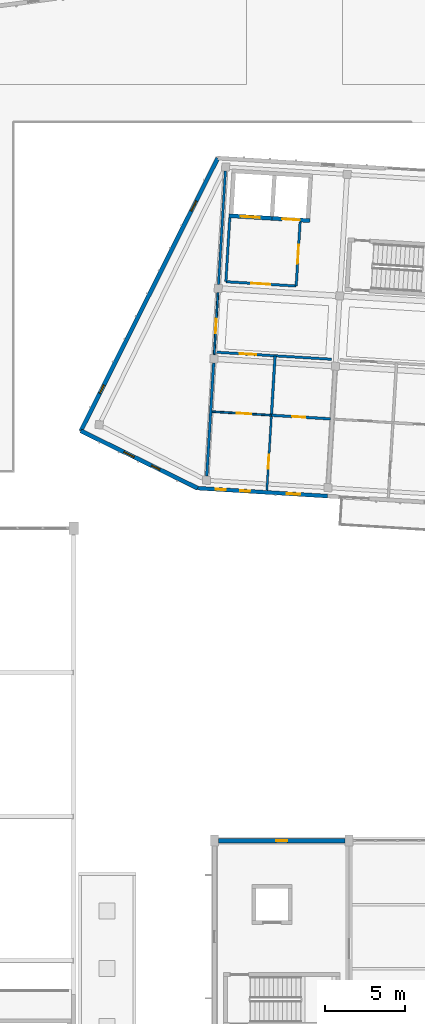
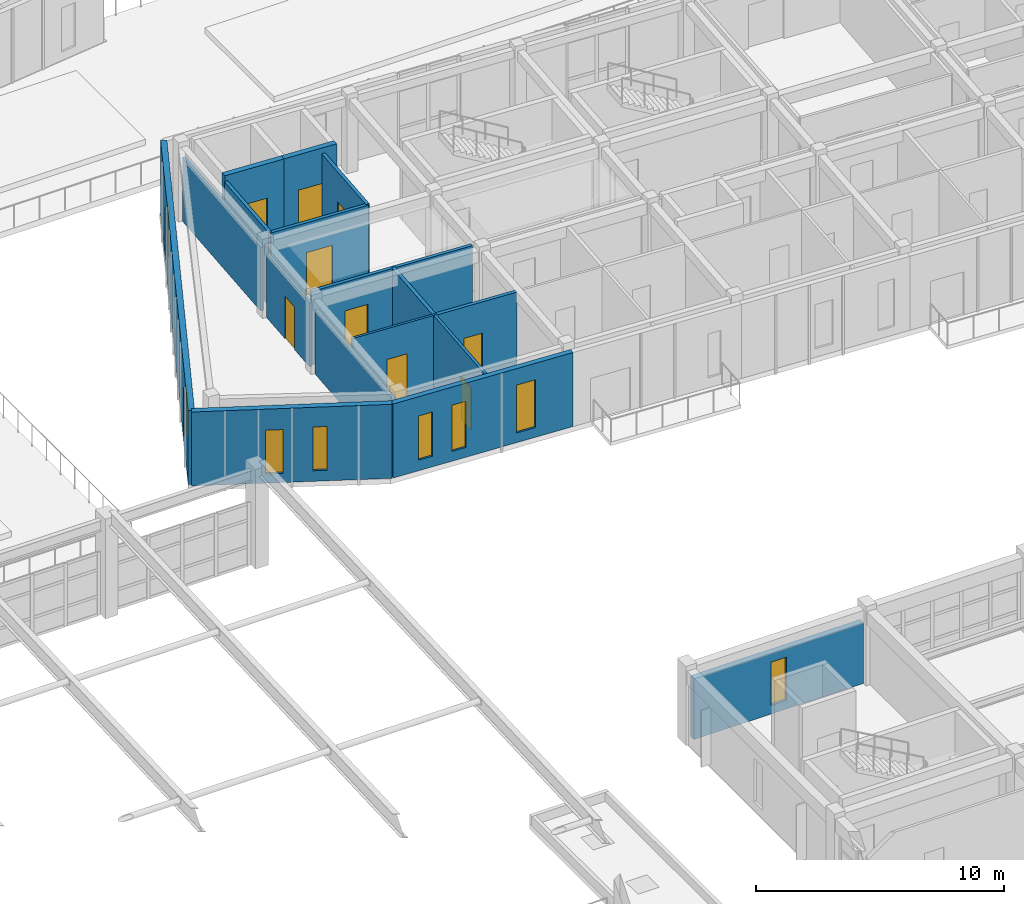
# One storey, part 85 of 150: 17 walls, 9 doors, 8 windows, 17 openings.
"""IFC4 building model written with IfcOpenShell, lengths in metres."""

from ifc_helpers import new_model, si_unit, direction, frame, frame_2d, origin, place, context, subcontext, project, spatial, rectangle, extrude, material, layer, layer_set, type_object, element, fill, save


model = new_model("IFC4")

# Units and contexts
model_context = context("Model", 3, precision=1e-05, world=origin(), true_north=direction((0.0, 1.0)))
body_context = subcontext(model_context, "Body", "Model", "MODEL_VIEW")
ifc_project = project(units=[si_unit("LENGTHUNIT", "METRE"), si_unit("AREAUNIT", "SQUARE_METRE"), si_unit("VOLUMEUNIT", "CUBIC_METRE"), si_unit("PLANEANGLEUNIT", "RADIAN"), si_unit("MASSUNIT", "GRAM", prefix="KILO")], contexts=[model_context])

# Site, building, storey
site_placement = place(None, origin())
site = spatial("IfcSite", under=ifc_project, at=site_placement, CompositionType="ELEMENT")
building_placement = place(site_placement, origin())
building = spatial("IfcBuilding", under=site, at=building_placement, Name="Kestramere Prow Commons", CompositionType="ELEMENT")
storey_placement = place(building_placement, frame((0.0, 0.0, 4.5)))
storey = spatial("IfcBuildingStorey", under=building, at=storey_placement, Name="L01", CompositionType="ELEMENT", Elevation=4.5)

# Wall, opening, window
ifc_material_1 = material(Name="Precast concrete C40/50", Category="concrete")
ifc_layer_1 = layer(ifc_material_1, 0.280029296875)
ifc_layer_set_1 = layer_set([ifc_layer_1], Name="Precast concrete C40/50")
wall_type_1 = type_object("IfcWallType", Name="EW-CIVIC-280", PredefinedType="SOLIDWALL", material=ifc_layer_set_1)
wall_1_placement = place(storey_placement, frame((60.25, 24.0, 0.0), z_axis=(0.0, 0.0, 1.0), x_axis=(1.0, 0.0, 0.0)))
wall_1 = element("IfcWall", 1, at=wall_1_placement, inside=storey, type_object=wall_type_1, Name="Market L01 Core Wall 1", PredefinedType="SOLIDWALL", context=body_context, shape_type="SweptSolid", body=[
    extrude(rectangle(XDim=7.89990234375, YDim=0.280029296875, at=frame_2d((3.949951171875, 0.0))), origin(), (0.0, 0.0, 1.0), 2.989990234375),
])
opening_1_placement = place(wall_1_placement, frame((3.60009765625, 0.0, 0.419921875)))
opening_1 = element("IfcOpeningElement", 2, at=opening_1_placement, cuts=wall_1, Name="Opening WN-16", PredefinedType="OPENING", context=body_context, shape_type="SweptSolid", body=[
    extrude(rectangle(XDim=0.699951171875, YDim=2.139892578125, at=frame_2d((0.35009765625, 1.06982421875))), frame((0.0, 0.155029296875, 0.0), z_axis=(0.0, -1.0, 0.0), x_axis=(1.0, 0.0, 0.0)), (0.0, 0.0, 1.0), 0.31005859375),
])
ifc_material_2 = material(Name="Low-E Laminated Double Glazing", Category="glass")
window_type_1 = type_object("IfcWindowType", Name="WN-CIV-700", PartitioningType="SINGLE_PANEL", PredefinedType="WINDOW", material=ifc_material_2)
window_1_placement = place(opening_1_placement, origin())
window_1 = element("IfcWindow", 3, at=window_1_placement, inside=storey, type_object=window_type_1, Name="WN-MK-L01-N-0", OverallHeight=2.139892578125, OverallWidth=0.699951171875, PartitioningType="SINGLE_PANEL", PredefinedType="WINDOW", context=body_context, shape_type="SweptSolid", body=[
    extrude(rectangle(XDim=0.699951171875, YDim=2.139892578125, at=frame_2d((0.35009765625, 1.06982421875))), frame((0.0, 0.030029296875, 0.0), z_axis=(0.0, -1.0, 0.0), x_axis=(1.0, 0.0, 0.0)), (0.0, 0.0, 1.0), 0.06005859375),
])
fill(opening_1, window_1)

# Wall, openings, windows
ifc_material_3 = material(Name="Weathered Zinc-Titanium Standing-Seam Cladding")
ifc_layer_2 = layer(ifc_material_3, 0.260009765625)
ifc_layer_set_2 = layer_set([ifc_layer_2], Name="Weathered Zinc-Titanium Standing-Seam Cladding")
wall_type_2 = type_object("IfcWallType", Name="EW-PROW-260", PredefinedType="SOLIDWALL", material=ifc_layer_set_2)
wall_2_placement = place(storey_placement, frame((58.94384765625, 46.008056640625, 0.0), z_axis=(0.0, 0.0, 1.0), x_axis=(-0.897775054318, 0.440454256246, 0.0)))
wall_2 = element("IfcWall", 4, at=wall_2_placement, inside=storey, type_object=wall_type_2, Name="Block C L01 PRW-S Facet Wall", PredefinedType="SOLIDWALL", context=body_context, shape_type="SweptSolid", body=[
    extrude(rectangle(XDim=8.120361328125, YDim=0.260009765625, at=frame_2d((4.06005859375, 0.0))), origin(), (0.0, 0.0, 1.0), 3.64990234375),
])
opening_2_placement = place(wall_2_placement, frame((2.6298828125, 0.0, 0.52001953125)))
opening_2 = element("IfcOpeningElement", 5, at=opening_2_placement, cuts=wall_2, Name="Opening WN-01", PredefinedType="OPENING", context=body_context, shape_type="SweptSolid", body=[
    extrude(rectangle(XDim=0.580078125, YDim=2.159912109375, at=frame_2d((0.2900390625, 1.080078125))), frame((0.0, 0.14501953125, 0.0), z_axis=(0.0, -1.0, 0.0), x_axis=(1.0, 0.0, 0.0)), (0.0, 0.0, 1.0), 0.2900390625),
])
opening_3_placement = place(wall_2_placement, frame((4.410400390625, 0.0, 0.449951171875)))
opening_3 = element("IfcOpeningElement", 6, at=opening_3_placement, cuts=wall_2, Name="Opening WN-08", PredefinedType="OPENING", context=body_context, shape_type="SweptSolid", body=[
    extrude(rectangle(XDim=0.719970703125, YDim=2.159912109375, at=frame_2d((0.35986328125, 1.080078125))), frame((0.0, 0.14501953125, 0.0), z_axis=(0.0, -1.0, 0.0), x_axis=(1.0, 0.0, 0.0)), (0.0, 0.0, 1.0), 0.2900390625),
])
window_type_2 = type_object("IfcWindowType", Name="WN-NAR-580A", PartitioningType="SINGLE_PANEL", PredefinedType="WINDOW", material=ifc_material_2)
window_2_placement = place(opening_2_placement, origin())
window_2 = element("IfcWindow", 7, at=window_2_placement, inside=storey, type_object=window_type_2, Name="WN-C-L01-PRW-S-0", OverallHeight=2.159912109375, OverallWidth=0.580078125, PartitioningType="SINGLE_PANEL", PredefinedType="WINDOW", context=body_context, shape_type="SweptSolid", body=[
    extrude(rectangle(XDim=0.580078125, YDim=2.159912109375, at=frame_2d((0.2900390625, 1.080078125))), frame((0.0, 0.030029296875, 0.0), z_axis=(0.0, -1.0, 0.0), x_axis=(1.0, 0.0, 0.0)), (0.0, 0.0, 1.0), 0.06005859375),
])
fill(opening_2, window_2)
window_type_3 = type_object("IfcWindowType", Name="WN-NAR-720A", PartitioningType="SINGLE_PANEL", PredefinedType="WINDOW", material=ifc_material_2)
window_3_placement = place(opening_3_placement, origin())
window_3 = element("IfcWindow", 8, at=window_3_placement, inside=storey, type_object=window_type_3, Name="WN-C-L01-PRW-S-1", OverallHeight=2.159912109375, OverallWidth=0.719970703125, PartitioningType="SINGLE_PANEL", PredefinedType="WINDOW", context=body_context, shape_type="SweptSolid", body=[
    extrude(rectangle(XDim=0.719970703125, YDim=2.159912109375, at=frame_2d((0.35986328125, 1.080078125))), frame((0.0, 0.030029296875, 0.0), z_axis=(0.0, -1.0, 0.0), x_axis=(1.0, 0.0, 0.0)), (0.0, 0.0, 1.0), 0.06005859375),
])
fill(opening_3, window_3)

wall_3_placement = place(storey_placement, frame((51.653564453125, 49.584716796875, 0.0), z_axis=(0.0, 0.0, 1.0), x_axis=(0.448621989068, 0.893721607059, 0.0)))
wall_3 = element("IfcWall", 9, at=wall_3_placement, inside=storey, type_object=wall_type_2, Name="Block C L01 PRW-N Facet Wall", PredefinedType="SOLIDWALL", context=body_context, shape_type="SweptSolid", body=[
    extrude(rectangle(XDim=19.060546875, YDim=0.260009765625, at=frame_2d((9.5302734375, 0.0))), origin(), (0.0, 0.0, 1.0), 3.64990234375),
])
opening_4_placement = place(wall_3_placement, frame((2.6298828125, 0.0, 0.52001953125)))
opening_4 = element("IfcOpeningElement", 10, at=opening_4_placement, cuts=wall_3, Name="Opening WN-01", PredefinedType="OPENING", context=body_context, shape_type="SweptSolid", body=[
    extrude(rectangle(XDim=0.580078125, YDim=2.159912109375, at=frame_2d((0.2900390625, 1.080078125))), frame((0.0, 0.14501953125, 0.0), z_axis=(0.0, -1.0, 0.0), x_axis=(1.0, 0.0, 0.0)), (0.0, 0.0, 1.0), 0.2900390625),
])
opening_5_placement = place(wall_3_placement, frame((15.350341796875, 0.0, 0.449951171875)))
opening_5 = element("IfcOpeningElement", 11, at=opening_5_placement, cuts=wall_3, Name="Opening WN-08", PredefinedType="OPENING", context=body_context, shape_type="SweptSolid", body=[
    extrude(rectangle(XDim=0.719970703125, YDim=2.159912109375, at=frame_2d((0.35986328125, 1.080078125))), frame((0.0, 0.14501953125, 0.0), z_axis=(0.0, -1.0, 0.0), x_axis=(1.0, 0.0, 0.0)), (0.0, 0.0, 1.0), 0.2900390625),
])
window_4_placement = place(opening_4_placement, origin())
window_4 = element("IfcWindow", 12, at=window_4_placement, inside=storey, type_object=window_type_2, Name="WN-C-L01-PRW-N-0", OverallHeight=2.159912109375, OverallWidth=0.580078125, PartitioningType="SINGLE_PANEL", PredefinedType="WINDOW", context=body_context, shape_type="SweptSolid", body=[
    extrude(rectangle(XDim=0.580078125, YDim=2.159912109375, at=frame_2d((0.2900390625, 1.080078125))), frame((0.0, 0.030029296875, 0.0), z_axis=(0.0, -1.0, 0.0), x_axis=(1.0, 0.0, 0.0)), (0.0, 0.0, 1.0), 0.06005859375),
])
fill(opening_4, window_4)
window_5_placement = place(opening_5_placement, origin())
window_5 = element("IfcWindow", 13, at=window_5_placement, inside=storey, type_object=window_type_3, Name="WN-C-L01-PRW-N-1", OverallHeight=2.159912109375, OverallWidth=0.719970703125, PartitioningType="SINGLE_PANEL", PredefinedType="WINDOW", context=body_context, shape_type="SweptSolid", body=[
    extrude(rectangle(XDim=0.719970703125, YDim=2.159912109375, at=frame_2d((0.35986328125, 1.080078125))), frame((0.0, 0.030029296875, 0.0), z_axis=(0.0, -1.0, 0.0), x_axis=(1.0, 0.0, 0.0)), (0.0, 0.0, 1.0), 0.06005859375),
])
fill(opening_5, window_5)

ifc_material_4 = material(Name="Fluoropolymer Standing-Seam Zinc-Aluminium Cladding", Category="aluminium")
ifc_layer_3 = layer(ifc_material_4, 0.239990234375)
ifc_layer_set_3 = layer_set([ifc_layer_3], Name="Fluoropolymer Standing-Seam Zinc-Aluminium Cladding")
wall_type_3 = type_object("IfcWallType", Name="EW-SEAM-240", PredefinedType="SOLIDWALL", material=ifc_layer_set_3)
wall_4_placement = place(storey_placement, frame((67.0537109375, 45.511962890625, 0.0), z_axis=(0.0, 0.0, 1.0), x_axis=(-0.998134248939, 0.061057522844, 0.0)))
wall_4 = element("IfcWall", 14, at=wall_4_placement, inside=storey, type_object=wall_type_3, Name="Block C L01 South Standing-Seam Wall 1", PredefinedType="SOLIDWALL", context=body_context, shape_type="SweptSolid", body=[
    extrude(rectangle(XDim=8.125, YDim=0.239990234375, at=frame_2d((4.0625, 0.0))), origin(), (0.0, 0.0, 1.0), 3.64990234375),
])
opening_6_placement = place(wall_4_placement, frame((1.69970703125, 0.0, 0.47998046875)))
opening_6 = element("IfcOpeningElement", 15, at=opening_6_placement, cuts=wall_4, Name="Opening WN-15", PredefinedType="OPENING", context=body_context, shape_type="SweptSolid", body=[
    extrude(rectangle(XDim=0.860107421875, YDim=2.360107421875, at=frame_2d((0.43017578125, 1.18017578125))), frame((0.0, 0.135009765625, 0.0), z_axis=(0.0, -1.0, 0.0), x_axis=(1.0, 0.0, 0.0)), (0.0, 0.0, 1.0), 0.27001953125),
])
opening_7_placement = place(wall_4_placement, frame((4.847900390625, 0.0, 0.47998046875)))
opening_7 = element("IfcOpeningElement", 16, at=opening_7_placement, cuts=wall_4, Name="Opening WN-03", PredefinedType="OPENING", context=body_context, shape_type="SweptSolid", body=[
    extrude(rectangle(XDim=0.6201171875, YDim=2.280029296875, at=frame_2d((0.31005859375, 1.14013671875))), frame((0.0, 0.135009765625, 0.0), z_axis=(0.0, -1.0, 0.0), x_axis=(1.0, 0.0, 0.0)), (0.0, 0.0, 1.0), 0.27001953125),
])
opening_8_placement = place(wall_4_placement, frame((6.35009765625, 0.0, 0.52001953125)))
opening_8 = element("IfcOpeningElement", 17, at=opening_8_placement, cuts=wall_4, Name="Opening WN-04", PredefinedType="OPENING", context=body_context, shape_type="SweptSolid", body=[
    extrude(rectangle(XDim=0.639892578125, YDim=2.179931640625, at=frame_2d((0.31982421875, 1.08984375))), frame((0.0, 0.135009765625, 0.0), z_axis=(0.0, -1.0, 0.0), x_axis=(1.0, 0.0, 0.0)), (0.0, 0.0, 1.0), 0.27001953125),
])
window_type_4 = type_object("IfcWindowType", Name="WN-NAR-620A", PartitioningType="SINGLE_PANEL", PredefinedType="WINDOW", material=ifc_material_2)
window_6_placement = place(opening_7_placement, origin())
window_6 = element("IfcWindow", 18, at=window_6_placement, inside=storey, type_object=window_type_4, Name="WN-C-L01-S-0-10", OverallHeight=2.280029296875, OverallWidth=0.6201171875, PartitioningType="SINGLE_PANEL", PredefinedType="WINDOW", context=body_context, shape_type="SweptSolid", body=[
    extrude(rectangle(XDim=0.6201171875, YDim=2.280029296875, at=frame_2d((0.31005859375, 1.14013671875))), frame((0.0, 0.030029296875, 0.0), z_axis=(0.0, -1.0, 0.0), x_axis=(1.0, 0.0, 0.0)), (0.0, 0.0, 1.0), 0.06005859375),
])
fill(opening_7, window_6)
window_type_5 = type_object("IfcWindowType", Name="WN-NAR-640A", PartitioningType="SINGLE_PANEL", PredefinedType="WINDOW", material=ifc_material_2)
window_7_placement = place(opening_8_placement, origin())
window_7 = element("IfcWindow", 19, at=window_7_placement, inside=storey, type_object=window_type_5, Name="WN-C-L01-S-0-11", OverallHeight=2.179931640625, OverallWidth=0.639892578125, PartitioningType="SINGLE_PANEL", PredefinedType="WINDOW", context=body_context, shape_type="SweptSolid", body=[
    extrude(rectangle(XDim=0.639892578125, YDim=2.179931640625, at=frame_2d((0.31982421875, 1.08984375))), frame((0.0, 0.030029296875, 0.0), z_axis=(0.0, -1.0, 0.0), x_axis=(1.0, 0.0, 0.0)), (0.0, 0.0, 1.0), 0.06005859375),
])
fill(opening_8, window_7)
window_type_6 = type_object("IfcWindowType", Name="WN-NAR-860A", PartitioningType="DOUBLE_PANEL_VERTICAL", PredefinedType="WINDOW", material=ifc_material_2)
window_8_placement = place(opening_6_placement, origin())
window_8 = element("IfcWindow", 20, at=window_8_placement, inside=storey, type_object=window_type_6, Name="WN-C-L01-S-0-00", OverallHeight=2.360107421875, OverallWidth=0.860107421875, PartitioningType="SINGLE_PANEL", PredefinedType="WINDOW", context=body_context, shape_type="SweptSolid", body=[
    extrude(rectangle(XDim=0.860107421875, YDim=2.360107421875, at=frame_2d((0.43017578125, 1.18017578125))), frame((0.0, 0.030029296875, 0.0), z_axis=(0.0, -1.0, 0.0), x_axis=(1.0, 0.0, 0.0)), (0.0, 0.0, 1.0), 0.06005859375),
])
fill(opening_6, window_8)

# Wall, opening, door
ifc_material_5 = material(Name="Concrete C40/50", Category="concrete")
ifc_layer_4 = layer(ifc_material_5, 0.25)
ifc_layer_set_4 = layer_set([ifc_layer_4], Name="Concrete C40/50")
wall_type_4 = type_object("IfcWallType", Name="W-CORE-250", PredefinedType="SHEAR", material=ifc_layer_set_4)
wall_5_placement = place(storey_placement, frame((60.9111328125, 63.019775390625, 0.0), z_axis=(0.0, 0.0, 1.0), x_axis=(0.998134099905, -0.061059959111, 0.0)))
wall_5 = element("IfcWall", 21, at=wall_5_placement, inside=storey, type_object=wall_type_4, Name="Block C L01 Fire Lift Shaft Front Wall", PredefinedType="SHEAR", context=body_context, shape_type="SweptSolid", body=[
    extrude(rectangle(XDim=2.6748046875, YDim=0.25, at=frame_2d((1.33740234375, 0.0))), origin(), (0.0, 0.0, 1.0), 3.89990234375),
])
opening_9_placement = place(wall_5_placement, frame((0.719970703125, 0.0, 0.0)))
opening_9 = element("IfcOpeningElement", 22, at=opening_9_placement, cuts=wall_5, Name="Opening LD-02", PredefinedType="OPENING", context=body_context, shape_type="SweptSolid", body=[
    extrude(rectangle(XDim=1.199951171875, YDim=2.199951171875, at=frame_2d((0.60009765625, 1.10009765625))), frame((0.0, 0.139892578125, 0.0), z_axis=(0.0, -1.0, 0.0), x_axis=(1.0, 0.0, 0.0)), (0.0, 0.0, 1.0), 0.280029296875),
])
ifc_material_6 = material(Name="Brushed Stainless Steel 316", Category="steel")
door_type_1 = type_object("IfcDoorType", Name="LD-02", OperationType="DOUBLE_DOOR_SLIDING", PredefinedType="DOOR", material=ifc_material_6)
door_1_placement = place(opening_9_placement, origin())
door_1 = element("IfcDoor", 23, at=door_1_placement, inside=storey, type_object=door_type_1, Name="FL-C1 L01 Lift Landing Door", OperationType="DOUBLE_DOOR_SLIDING", OverallHeight=2.199951171875, OverallWidth=1.199951171875, PredefinedType="DOOR", context=body_context, shape_type="SweptSolid", body=[
    extrude(rectangle(XDim=1.199951171875, YDim=2.199951171875, at=frame_2d((0.60009765625, 1.10009765625))), frame((0.0, 0.02490234375, 0.0), z_axis=(0.0, -1.0, 0.0), x_axis=(1.0, 0.0, 0.0)), (0.0, 0.0, 1.0), 0.050048828125),
])
fill(opening_9, door_1)

wall_6_placement = place(storey_placement, frame((63.5810546875, 62.8564453125, 0.0), z_axis=(0.0, 0.0, 1.0), x_axis=(0.998134103342, -0.061059902923, 0.0)))
wall_6 = element("IfcWall", 24, at=wall_6_placement, inside=storey, type_object=wall_type_4, Name="Block C L01 Passenger Lift Shaft Front Wall", PredefinedType="SHEAR", context=body_context, shape_type="SweptSolid", body=[
    extrude(rectangle(XDim=2.375, YDim=0.25, at=frame_2d((1.1875, 0.0))), origin(), (0.0, 0.0, 1.0), 3.89990234375),
])
opening_10_placement = place(wall_6_placement, frame((0.64990234375, 0.0, 0.0)))
opening_10 = element("IfcOpeningElement", 25, at=opening_10_placement, cuts=wall_6, Name="Opening LD-01", PredefinedType="OPENING", context=body_context, shape_type="SweptSolid", body=[
    extrude(rectangle(XDim=1.10009765625, YDim=2.14990234375, at=frame_2d((0.550048828125, 1.074951171875))), frame((0.0, 0.139892578125, 0.0), z_axis=(0.0, -1.0, 0.0), x_axis=(1.0, 0.0, 0.0)), (0.0, 0.0, 1.0), 0.280029296875),
])
ifc_material_7 = material(Name="Brushed Stainless Steel 304", Category="steel")
door_type_2 = type_object("IfcDoorType", Name="LD-01", OperationType="DOUBLE_DOOR_SLIDING", PredefinedType="DOOR", material=ifc_material_7)
door_2_placement = place(opening_10_placement, origin())
door_2 = element("IfcDoor", 26, at=door_2_placement, inside=storey, type_object=door_type_2, Name="PL-C2 L01 Lift Landing Door", OperationType="DOUBLE_DOOR_SLIDING", OverallHeight=2.14990234375, OverallWidth=1.10009765625, PredefinedType="DOOR", context=body_context, shape_type="SweptSolid", body=[
    extrude(rectangle(XDim=1.10009765625, YDim=2.14990234375, at=frame_2d((0.550048828125, 1.074951171875))), frame((0.0, 0.02490234375, 0.0), z_axis=(0.0, -1.0, 0.0), x_axis=(1.0, 0.0, 0.0)), (0.0, 0.0, 1.0), 0.050048828125),
])
fill(opening_10, door_2)

ifc_material_8 = material(Name="Fire-Rated Calcium Silicate Wall")
ifc_layer_5 = layer(ifc_material_8, 0.155029296875)
ifc_layer_set_5 = layer_set([ifc_layer_5], Name="Fire-Rated Calcium Silicate Wall")
wall_type_5 = type_object("IfcWallType", Name="W-FIRE-150", PredefinedType="PARTITIONING", material=ifc_layer_set_5)
wall_7_placement = place(storey_placement, frame((60.709228515625, 58.8994140625, 0.0), z_axis=(0.0, 0.0, 1.0), x_axis=(0.998132276607, -0.061089756882, 0.0)))
wall_7 = element("IfcWall", 27, at=wall_7_placement, inside=storey, type_object=wall_type_5, Name="Interior Partition PW-C-L01-FFL-S", PredefinedType="PARTITIONING", context=body_context, shape_type="SweptSolid", body=[
    extrude(rectangle(XDim=4.400146484375, YDim=0.155029296875, at=frame_2d((2.2001953125, 0.0))), origin(), (0.0, 0.0, 1.0), 3.6201171875),
])
opening_11_placement = place(wall_7_placement, frame((1.60009765625, 0.0, 0.0)))
opening_11 = element("IfcOpeningElement", 28, at=opening_11_placement, cuts=wall_7, Name="Opening ID-03", PredefinedType="OPENING", context=body_context, shape_type="SweptSolid", body=[
    extrude(rectangle(XDim=1.179931640625, YDim=2.14990234375, at=frame_2d((0.58984375, 1.074951171875))), frame((0.0, 0.092529296875, 0.0), z_axis=(0.0, -1.0, 0.0), x_axis=(1.0, 0.0, 0.0)), (0.0, 0.0, 1.0), 0.18505859375),
])
ifc_material_9 = material(Name="Fire-Rated Glazed Smoke-Stop Door")
door_type_3 = type_object("IfcDoorType", Name="FD-LB-01", OperationType="NOTDEFINED", PredefinedType="DOOR", material=ifc_material_9)
door_3_placement = place(opening_11_placement, origin())
door_3 = element("IfcDoor", 29, at=door_3_placement, inside=storey, type_object=door_type_3, Name="Interior Door DR-C-L01-FFL", OperationType="SINGLE_SWING_RIGHT", OverallHeight=2.14990234375, OverallWidth=1.179931640625, PredefinedType="DOOR", context=body_context, shape_type="SweptSolid", body=[
    extrude(rectangle(XDim=1.179931640625, YDim=2.14990234375, at=frame_2d((0.58984375, 1.074951171875))), frame((0.0, 0.02490234375, 0.0), z_axis=(0.0, -1.0, 0.0), x_axis=(1.0, 0.0, 0.0)), (0.0, 0.0, 1.0), 0.050048828125),
])
fill(opening_11, door_3)

# Wall
wall_8_placement = place(storey_placement, frame((60.709228515625, 58.8994140625, 0.0), z_axis=(0.0, 0.0, 1.0), x_axis=(0.061036844229, 0.998135513669, 0.0)))
element("IfcWall", 30, at=wall_8_placement, inside=storey, type_object=wall_type_5, Name="Interior Partition PW-C-L01-FFL-W", PredefinedType="PARTITIONING", context=body_context, shape_type="SweptSolid", body=[
    extrude(rectangle(XDim=4.0, YDim=0.155029296875, at=frame_2d((2.0, 0.0))), origin(), (0.0, 0.0, 1.0), 3.6201171875),
])

# Wall, opening, door
wall_9_placement = place(storey_placement, frame((65.10107421875, 58.630615234375, 0.0), z_axis=(0.0, 0.0, 1.0), x_axis=(0.061033125904, 0.99813574104, 0.0)))
wall_9 = element("IfcWall", 31, at=wall_9_placement, inside=storey, type_object=wall_type_5, Name="Interior Partition PW-C-L01-FFL-E", PredefinedType="PARTITIONING", context=body_context, shape_type="SweptSolid", body=[
    extrude(rectangle(XDim=4.000244140625, YDim=0.155029296875, at=frame_2d((2.0, 0.0))), origin(), (0.0, 0.0, 1.0), 3.6201171875),
])
opening_12_placement = place(wall_9_placement, frame((1.39990234375, 0.0, 0.0)))
opening_12 = element("IfcOpeningElement", 32, at=opening_12_placement, cuts=wall_9, Name="Opening ID-03", PredefinedType="OPENING", context=body_context, shape_type="SweptSolid", body=[
    extrude(rectangle(XDim=1.179931640625, YDim=2.14990234375, at=frame_2d((0.58984375, 1.074951171875))), frame((0.0, 0.092529296875, 0.0), z_axis=(0.0, -1.0, 0.0), x_axis=(1.0, 0.0, 0.0)), (0.0, 0.0, 1.0), 0.18505859375),
])
door_4_placement = place(opening_12_placement, origin())
door_4 = element("IfcDoor", 33, at=door_4_placement, inside=storey, type_object=door_type_3, Name="Interior Door DR-C-L01-FFL-PL", OperationType="SINGLE_SWING_LEFT", OverallHeight=2.14990234375, OverallWidth=1.179931640625, PredefinedType="DOOR", context=body_context, shape_type="SweptSolid", body=[
    extrude(rectangle(XDim=1.179931640625, YDim=2.14990234375, at=frame_2d((0.58984375, 1.074951171875))), frame((0.0, 0.02490234375, 0.0), z_axis=(0.0, -1.0, 0.0), x_axis=(1.0, 0.0, 0.0)), (0.0, 0.0, 1.0), 0.050048828125),
])
fill(opening_12, door_4)

wall_10_placement = place(storey_placement, frame((60.0595703125, 54.500732421875, 0.0), z_axis=(0.0, 0.0, 1.0), x_axis=(0.998134543433, -0.06105270843, 0.0)))
wall_10 = element("IfcWall", 34, at=wall_10_placement, inside=storey, type_object=wall_type_5, Name="Interior Partition PW-C-L01-CS-0", PredefinedType="PARTITIONING", context=body_context, shape_type="SweptSolid", body=[
    extrude(rectangle(XDim=7.27001953125, YDim=0.155029296875, at=frame_2d((3.635009765625, 0.0))), origin(), (0.0, 0.0, 1.0), 3.6201171875),
])
opening_13_placement = place(wall_10_placement, frame((1.52001953125, 0.0, 0.0)))
opening_13 = element("IfcOpeningElement", 35, at=opening_13_placement, cuts=wall_10, Name="Opening ID-05", PredefinedType="OPENING", context=body_context, shape_type="SweptSolid", body=[
    extrude(rectangle(XDim=1.02001953125, YDim=2.199951171875, at=frame_2d((0.510009765625, 1.10009765625))), frame((0.0, 0.092529296875, 0.0), z_axis=(0.0, -1.0, 0.0), x_axis=(1.0, 0.0, 0.0)), (0.0, 0.0, 1.0), 0.18505859375),
])
ifc_material_10 = material(Name="Hardwood Fire-Rated Flat Entrance Door", Category="wood")
door_type_4 = type_object("IfcDoorType", Name="FD-ENT-02", OperationType="NOTDEFINED", PredefinedType="DOOR", material=ifc_material_10)
door_5_placement = place(opening_13_placement, origin())
door_5 = element("IfcDoor", 36, at=door_5_placement, inside=storey, type_object=door_type_4, Name="Interior Door DR-C-L01-ENT-S0", OperationType="SINGLE_SWING_RIGHT", OverallHeight=2.199951171875, OverallWidth=1.02001953125, PredefinedType="DOOR", context=body_context, shape_type="SweptSolid", body=[
    extrude(rectangle(XDim=1.02001953125, YDim=2.199951171875, at=frame_2d((0.510009765625, 1.10009765625))), frame((0.0, 0.02490234375, 0.0), z_axis=(0.0, -1.0, 0.0), x_axis=(1.0, 0.0, 0.0)), (0.0, 0.0, 1.0), 0.050048828125),
])
fill(opening_13, door_5)

ifc_material_11 = material(Name="Gypsum Acoustic Drywall")
ifc_layer_6 = layer(ifc_material_11, 0.110107421875)
ifc_layer_set_6 = layer_set([ifc_layer_6], Name="Gypsum Acoustic Drywall")
wall_type_6 = type_object("IfcWallType", Name="W-PART-110", PredefinedType="PARTITIONING", material=ifc_layer_set_6)
wall_11_placement = place(storey_placement, frame((59.852294921875, 50.786376953125, 0.0), z_axis=(0.0, 0.0, 1.0), x_axis=(0.998137662841, -0.061001688651, 0.0)))
wall_11 = element("IfcWall", 37, at=wall_11_placement, inside=storey, type_object=wall_type_6, Name="Interior Partition PW-C-L01-MIDS1-0", PredefinedType="PARTITIONING", context=body_context, shape_type="SweptSolid", body=[
    extrude(rectangle(XDim=3.7099609375, YDim=0.110107421875, at=frame_2d((1.85498046875, 0.0))), origin(), (0.0, 0.0, 1.0), 3.6201171875),
])
opening_14_placement = place(wall_11_placement, frame((1.550048828125, 0.0, 0.0)))
opening_14 = element("IfcOpeningElement", 38, at=opening_14_placement, cuts=wall_11, Name="Opening ID-08", PredefinedType="OPENING", context=body_context, shape_type="SweptSolid", body=[
    extrude(rectangle(XDim=0.89990234375, YDim=2.10009765625, at=frame_2d((0.449951171875, 1.050048828125))), frame((0.0, 0.070068359375, 0.0), z_axis=(0.0, -1.0, 0.0), x_axis=(1.0, 0.0, 0.0)), (0.0, 0.0, 1.0), 0.14013671875),
])
ifc_material_12 = material(Name="Engineered Timber Flush Door", Category="wood")
door_type_5 = type_object("IfcDoorType", Name="D-RM-01", OperationType="NOTDEFINED", PredefinedType="DOOR", material=ifc_material_12)
door_6_placement = place(opening_14_placement, origin())
door_6 = element("IfcDoor", 39, at=door_6_placement, inside=storey, type_object=door_type_5, Name="Interior Door DR-C-L01-KL-S0", OperationType="SINGLE_SWING_RIGHT", OverallHeight=2.10009765625, OverallWidth=0.89990234375, PredefinedType="DOOR", context=body_context, shape_type="SweptSolid", body=[
    extrude(rectangle(XDim=0.89990234375, YDim=2.10009765625, at=frame_2d((0.449951171875, 1.050048828125))), frame((0.0, 0.02490234375, 0.0), z_axis=(0.0, -1.0, 0.0), x_axis=(1.0, 0.0, 0.0)), (0.0, 0.0, 1.0), 0.050048828125),
])
fill(opening_14, door_6)

ifc_material_13 = material(Name="Lightweight Blockwork and Plaster", Category="masonry")
ifc_layer_7 = layer(ifc_material_13, 0.1201171875)
ifc_layer_set_7 = layer_set([ifc_layer_7], Name="Lightweight Blockwork and Plaster")
wall_type_7 = type_object("IfcWallType", Name="W-PART-120", PredefinedType="PARTITIONING", material=ifc_layer_set_7)
wall_12_placement = place(storey_placement, frame((59.979736328125, 54.345458984375, 0.0), z_axis=(0.0, 0.0, 1.0), x_axis=(0.061101107425, 0.998131581843, 0.0)))
wall_12 = element("IfcWall", 40, at=wall_12_placement, inside=storey, type_object=wall_type_7, Name="Interior Partition PW-C-L01-PROW-ACC", PredefinedType="PARTITIONING", context=body_context, shape_type="SweptSolid", body=[
    extrude(rectangle(XDim=3.8798828125, YDim=0.1201171875, at=frame_2d((1.93994140625, 0.0))), origin(), (0.0, 0.0, 1.0), 3.14990234375),
])
opening_15_placement = place(wall_12_placement, frame((1.35009765625, 0.0, 0.0)))
opening_15 = element("IfcOpeningElement", 41, at=opening_15_placement, cuts=wall_12, Name="Opening ID-10", PredefinedType="OPENING", context=body_context, shape_type="SweptSolid", body=[
    extrude(rectangle(XDim=0.8798828125, YDim=2.10009765625, at=frame_2d((0.43994140625, 1.050048828125))), frame((0.0, 0.074951171875, 0.0), z_axis=(0.0, -1.0, 0.0), x_axis=(1.0, 0.0, 0.0)), (0.0, 0.0, 1.0), 0.150146484375),
])
ifc_material_14 = material(Name="Engineered Timber Bedroom Door", Category="wood")
door_type_6 = type_object("IfcDoorType", Name="D-RM-03", OperationType="NOTDEFINED", PredefinedType="DOOR", material=ifc_material_14)
door_7_placement = place(opening_15_placement, origin())
door_7 = element("IfcDoor", 42, at=door_7_placement, inside=storey, type_object=door_type_6, Name="Interior Door DR-C-L01-PROW", OperationType="SINGLE_SWING_LEFT", OverallHeight=2.10009765625, OverallWidth=0.8798828125, PredefinedType="DOOR", context=body_context, shape_type="SweptSolid", body=[
    extrude(rectangle(XDim=0.8798828125, YDim=2.10009765625, at=frame_2d((0.43994140625, 1.050048828125))), frame((0.0, 0.02490234375, 0.0), z_axis=(0.0, -1.0, 0.0), x_axis=(1.0, 0.0, 0.0)), (0.0, 0.0, 1.0), 0.050048828125),
])
fill(opening_15, door_7)

ifc_layer_8 = layer(ifc_material_13, 0.1298828125)
ifc_layer_set_8 = layer_set([ifc_layer_8], Name="Lightweight Blockwork and Plaster")
wall_type_8 = type_object("IfcWallType", Name="W-PART-130", PredefinedType="PARTITIONING", material=ifc_layer_set_8)
wall_13_placement = place(storey_placement, frame((63.26904296875, 45.878662109375, 0.0), z_axis=(0.0, 0.0, 1.0), x_axis=(0.061059262019, 0.998134142549, 0.0)))
wall_13 = element("IfcWall", 43, at=wall_13_placement, inside=storey, type_object=wall_type_8, Name="Interior Partition PW-C-L01-LB-S0", PredefinedType="PARTITIONING", context=body_context, shape_type="SweptSolid", body=[
    extrude(rectangle(XDim=4.690185546875, YDim=0.1298828125, at=frame_2d((2.34521484375, 0.0))), origin(), (0.0, 0.0, 1.0), 3.6201171875),
])
opening_16_placement = place(wall_13_placement, frame((1.35009765625, 0.0, 0.0)))
opening_16 = element("IfcOpeningElement", 44, at=opening_16_placement, cuts=wall_13, Name="Opening ID-10", PredefinedType="OPENING", context=body_context, shape_type="SweptSolid", body=[
    extrude(rectangle(XDim=0.8798828125, YDim=2.10009765625, at=frame_2d((0.43994140625, 1.050048828125))), frame((0.0, 0.079833984375, 0.0), z_axis=(0.0, -1.0, 0.0), x_axis=(1.0, 0.0, 0.0)), (0.0, 0.0, 1.0), 0.159912109375),
])
door_8_placement = place(opening_16_placement, origin())
door_8 = element("IfcDoor", 45, at=door_8_placement, inside=storey, type_object=door_type_6, Name="Interior Door DR-C-L01-BED-S0", OperationType="SINGLE_SWING_LEFT", OverallHeight=2.10009765625, OverallWidth=0.8798828125, PredefinedType="DOOR", context=body_context, shape_type="SweptSolid", body=[
    extrude(rectangle(XDim=0.8798828125, YDim=2.10009765625, at=frame_2d((0.43994140625, 1.050048828125))), frame((0.0, 0.02490234375, 0.0), z_axis=(0.0, -1.0, 0.0), x_axis=(1.0, 0.0, 0.0)), (0.0, 0.0, 1.0), 0.050048828125),
])
fill(opening_16, door_8)

# Walls
ifc_material_15 = material(Name="Masonry Compartment Wall", Category="masonry")
ifc_layer_9 = layer(ifc_material_15, 0.14990234375)
ifc_layer_set_9 = layer_set([ifc_layer_9], Name="Masonry Compartment Wall")
wall_type_9 = type_object("IfcWallType", Name="W-PART-150", PredefinedType="PARTITIONING", material=ifc_layer_set_9)
wall_14_placement = place(storey_placement, frame((60.24853515625, 58.737060546875, 0.0), z_axis=(0.0, 0.0, 1.0), x_axis=(0.061034344288, 0.998135666539, 0.0)))
element("IfcWall", 46, at=wall_14_placement, inside=storey, type_object=wall_type_9, Name="Interior Partition PW-C-L01-PRW-N", PredefinedType="PARTITIONING", context=body_context, shape_type="SweptSolid", body=[
    extrude(rectangle(XDim=7.080078125, YDim=0.14990234375, at=frame_2d((3.5400390625, 0.0))), origin(), (0.0, 0.0, 1.0), 3.14990234375),
])
ifc_material_16 = material(Name="Waterproof Sanitary Masonry Wall", Category="masonry")
ifc_layer_10 = layer(ifc_material_16, 0.1650390625)
ifc_layer_set_10 = layer_set([ifc_layer_10], Name="Waterproof Sanitary Masonry Wall")
wall_type_10 = type_object("IfcWallType", Name="W-PLUMB-150", PredefinedType="PLUMBINGWALL", material=ifc_layer_set_10)
wall_15_placement = place(storey_placement, frame((59.515869140625, 46.759521484375, 0.0), z_axis=(0.0, 0.0, 1.0), x_axis=(0.061034344288, 0.998135666539, 0.0)))
element("IfcWall", 47, at=wall_15_placement, inside=storey, type_object=wall_type_10, Name="Interior Partition PW-C-L01-PRWW-S", PredefinedType="PLUMBINGWALL", context=body_context, shape_type="SweptSolid", body=[
    extrude(rectangle(XDim=7.080078125, YDim=0.1650390625, at=frame_2d((3.5400390625, 0.0))), origin(), (0.0, 0.0, 1.0), 3.14990234375),
])

# Wall, opening, door
wall_16_placement = place(storey_placement, frame((63.555419921875, 50.56005859375, 0.0), z_axis=(0.0, 0.0, 1.0), x_axis=(0.998132682596, -0.061083123148, 0.0)))
wall_16 = element("IfcWall", 48, at=wall_16_placement, inside=storey, type_object=wall_type_10, Name="Interior Partition PW-C-L01-MIDS2-0", PredefinedType="PLUMBINGWALL", context=body_context, shape_type="SweptSolid", body=[
    extrude(rectangle(XDim=3.68505859375, YDim=0.1650390625, at=frame_2d((1.842529296875, 0.0))), origin(), (0.0, 0.0, 1.0), 3.6201171875),
])
opening_17_placement = place(wall_16_placement, frame((1.300048828125, 0.0, 0.0)))
opening_17 = element("IfcOpeningElement", 49, at=opening_17_placement, cuts=wall_16, Name="Opening ID-11", PredefinedType="OPENING", context=body_context, shape_type="SweptSolid", body=[
    extrude(rectangle(XDim=0.820068359375, YDim=2.080078125, at=frame_2d((0.41015625, 1.0400390625))), frame((0.0, 0.097412109375, 0.0), z_axis=(0.0, -1.0, 0.0), x_axis=(1.0, 0.0, 0.0)), (0.0, 0.0, 1.0), 0.195068359375),
])
ifc_material_17 = material(Name="Moisture-Resistant Timber Bathroom Door", Category="wood")
door_type_7 = type_object("IfcDoorType", Name="D-BT-01", OperationType="NOTDEFINED", PredefinedType="DOOR", material=ifc_material_17)
door_9_placement = place(opening_17_placement, origin())
door_9 = element("IfcDoor", 50, at=door_9_placement, inside=storey, type_object=door_type_7, Name="Interior Door DR-C-L01-BTH-S0", OperationType="SINGLE_SWING_LEFT", OverallHeight=2.080078125, OverallWidth=0.820068359375, PredefinedType="DOOR", context=body_context, shape_type="SweptSolid", body=[
    extrude(rectangle(XDim=0.820068359375, YDim=2.080078125, at=frame_2d((0.41015625, 1.0400390625))), frame((0.0, 0.02490234375, 0.0), z_axis=(0.0, -1.0, 0.0), x_axis=(1.0, 0.0, 0.0)), (0.0, 0.0, 1.0), 0.050048828125),
])
fill(opening_17, door_9)

# Wall
wall_17_placement = place(storey_placement, frame((63.555419921875, 50.56005859375, 0.0), z_axis=(0.0, 0.0, 1.0), x_axis=(0.061038003798, 0.998135442759, 0.0)))
element("IfcWall", 51, at=wall_17_placement, inside=storey, type_object=wall_type_10, Name="Interior Partition PW-C-L01-KB-S0", PredefinedType="PLUMBINGWALL", context=body_context, shape_type="SweptSolid", body=[
    extrude(rectangle(XDim=3.7197265625, YDim=0.1650390625, at=frame_2d((1.85986328125, 0.0))), origin(), (0.0, 0.0, 1.0), 3.6201171875),
])

save(model, "model.ifc")
